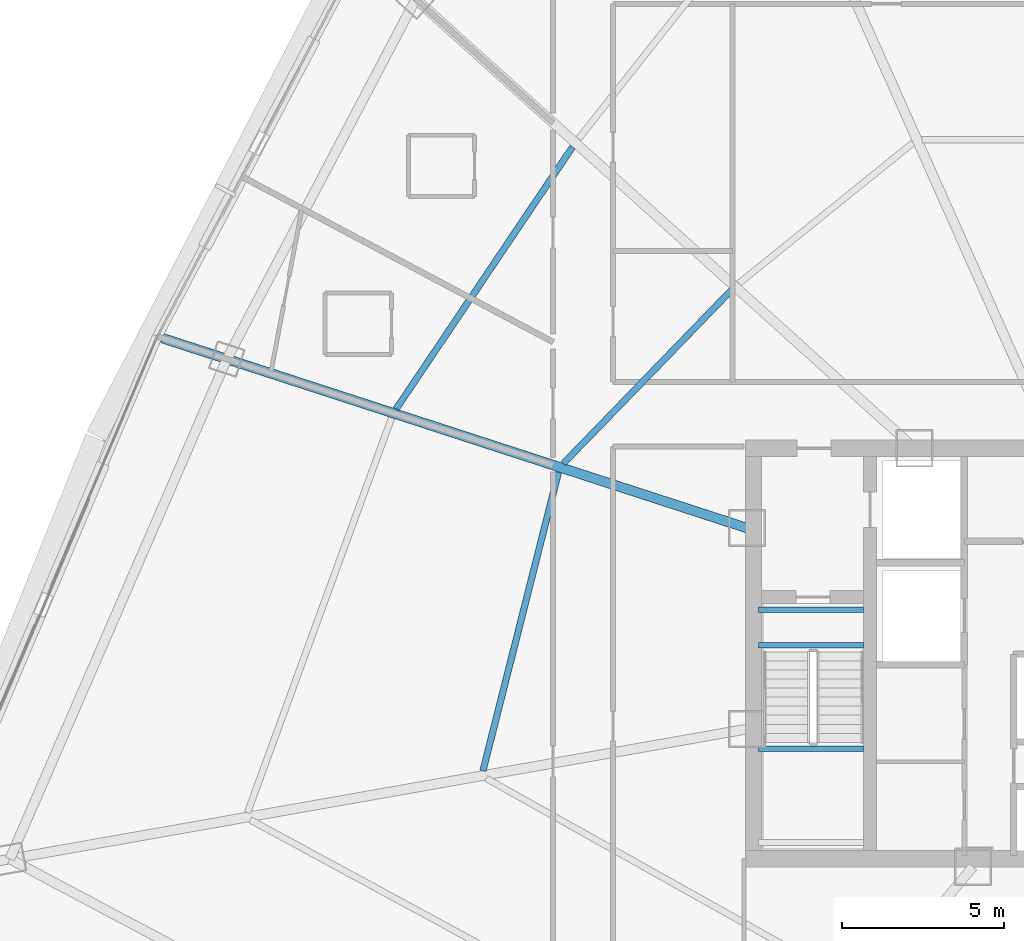
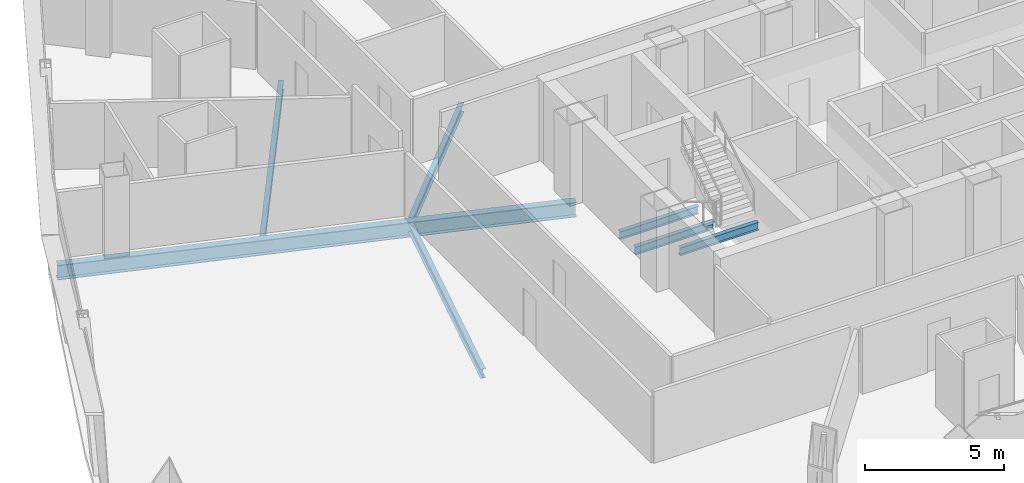
# One storey, part 9 of 40: 7 beams.
"""IFC4 building model written with IfcOpenShell, lengths in metres."""

from ifc_helpers import new_model, si_unit, direction, frame, origin, origin_2d, place, context, subcontext, project, spatial, i_section, extrude, source, transform, mapped, material, material_profile, profile_set, type_object, element, save


model = new_model("IFC4")

# Units and contexts
model_context = context("Model", 3, precision=1e-05, world=origin(), true_north=direction((0.0, 1.0)))
body_context = subcontext(model_context, "Body", "Model", "MODEL_VIEW")
ifc_project = project(units=[si_unit("LENGTHUNIT", "METRE"), si_unit("AREAUNIT", "SQUARE_METRE"), si_unit("VOLUMEUNIT", "CUBIC_METRE"), si_unit("PLANEANGLEUNIT", "RADIAN"), si_unit("MASSUNIT", "GRAM", prefix="KILO"), si_unit("THERMODYNAMICTEMPERATUREUNIT", "KELVIN"), si_unit("POWERUNIT", "WATT")], contexts=[model_context])

# Site, building, storey
site_placement = place(None, origin())
site = spatial("IfcSite", under=ifc_project, at=site_placement, CompositionType="ELEMENT")
building_placement = place(site_placement, origin())
building = spatial("IfcBuilding", under=site, at=building_placement, Name="Yunzhuo Pagoda Commons", CompositionType="ELEMENT")
storey_placement = place(building_placement, frame((0.0, 0.0, 180.9599609375)))
storey = spatial("IfcBuildingStorey", under=building, at=storey_placement, Name="L45", CompositionType="ELEMENT", Elevation=180.9599609375)

# Beams
ifc_material = material(Name="Structural steel Q355B", Category="steel")
ifc_material_profile_1 = material_profile(ifc_material, i_section(OverallWidth=0.175048828125, OverallDepth=0.35009765625, WebThickness=0.007080078125, FlangeThickness=0.010986328125, at=origin_2d()), Name="Structural steel Q355B")
ifc_profile_set_1 = profile_set([ifc_material_profile_1], Name="Structural steel Q355B")
beam_type_1 = type_object("IfcBeamType", Name="B-JS2 Joist HN 350x175x7x11", PredefinedType="JOIST", material=ifc_profile_set_1)
shared_shape_1 = source(origin(), body_context, "Body", "SweptSolid", [
    extrude(i_section(OverallWidth=0.175048828125, OverallDepth=0.35009765625, WebThickness=0.007080078125, FlangeThickness=0.010986328125, at=origin_2d()), origin(), (0.0, 0.0, 1.0), 3.25),
])
for number, where, z_axis, x_axis, name in (
    (1, (35.949951171875, 30.89990234375, 1.525146484375), (1.0, 0.0, 0.0), (0.0, 1.0, 0.0), "L45 ST1 landing support beam 51B"),
    (2, (35.949951171875, 34.10009765625, -0.375), (1.0, 0.0, 0.0), (0.0, 1.0, 0.0), "L45 ST1 landing support beam 149A"),
    (3, (35.949951171875, 35.199951171875, -0.375), (1.0, 0.0, 0.0), (0.0, 1.0, 0.0), "L45 ST1 landing support beam 149B"),
):
    element("IfcBeam", number, at=place(storey_placement, frame(where, z_axis=z_axis, x_axis=x_axis)), inside=storey, type_object=beam_type_1, Name=name, PredefinedType="JOIST", context=body_context, shape_type="MappedRepresentation", body=[
        mapped(shared_shape_1, transform((0.0, 0.0, 0.0), scale=1.0)),
    ])
ifc_material_profile_2 = material_profile(ifc_material, i_section(OverallWidth=0.300048828125, OverallDepth=0.64990234375, WebThickness=0.012939453125, FlangeThickness=0.02197265625, at=origin_2d()), Name="Structural steel Q355B")
ifc_profile_set_2 = profile_set([ifc_material_profile_2], Name="Structural steel Q355B")
beam_type_2 = type_object("IfcBeamType", Name="B-RG2 Beam HN 650x300x13x22", PredefinedType="BEAM", material=ifc_profile_set_2)
shared_shape_2 = source(origin(), body_context, "Body", "SweptSolid", [
    extrude(i_section(OverallWidth=0.300048828125, OverallDepth=0.64990234375, WebThickness=0.012939453125, FlangeThickness=0.02197265625, at=origin_2d()), origin(), (0.0, 0.0, 1.0), 19.029296875),
])
beam_1_placement = place(storey_placement, frame((17.502197265625, 43.609375, -0.5849609375), z_axis=(0.95105641133, -0.309017317424, 0.0), x_axis=(0.309017317424, 0.95105641133, 0.0)))
element("IfcBeam", 4, at=beam_1_placement, inside=storey, type_object=beam_type_2, Name="L45 radial floor girder F3C3", PredefinedType="BEAM", context=body_context, shape_type="MappedRepresentation", body=[
    mapped(shared_shape_2, transform((0.0, 0.0, 0.0), scale=1.0)),
])
ifc_material_profile_3 = material_profile(ifc_material, i_section(OverallWidth=0.199951171875, OverallDepth=0.39990234375, WebThickness=0.008056640625, FlangeThickness=0.012939453125, at=origin_2d()), Name="Structural steel Q355B")
ifc_profile_set_3 = profile_set([ifc_material_profile_3], Name="Structural steel Q355B")
beam_type_3 = type_object("IfcBeamType", Name="B-JS1 Joist HN 400x200x8x13", PredefinedType="JOIST", material=ifc_profile_set_3)
shared_shape_3 = source(origin(), body_context, "Body", "SweptSolid", [
    extrude(i_section(OverallWidth=0.199951171875, OverallDepth=0.39990234375, WebThickness=0.008056640625, FlangeThickness=0.012939453125, at=origin_2d()), origin(), (0.0, 0.0, 1.0), 9.529052734375),
])
beam_2_placement = place(storey_placement, frame((29.766845703125, 39.457763671875, -0.4599609375), z_axis=(-0.245367921097, -0.969430030119, 0.0), x_axis=(0.969430030119, -0.245367921097, 0.0)))
element("IfcBeam", 5, at=beam_2_placement, inside=storey, type_object=beam_type_3, Name="L45 composite ring joist 1.11", PredefinedType="JOIST", context=body_context, shape_type="MappedRepresentation", body=[
    mapped(shared_shape_3, transform((0.0, 0.0, 0.0), scale=1.0)),
])
shared_shape_4 = source(origin(), body_context, "Body", "SweptSolid", [
    extrude(i_section(OverallWidth=0.199951171875, OverallDepth=0.39990234375, WebThickness=0.008056640625, FlangeThickness=0.012939453125, at=origin_2d()), origin(), (0.0, 0.0, 1.0), 7.46826171875),
])
beam_3_placement = place(storey_placement, frame((35.114990234375, 45.087890625, -0.4599609375), z_axis=(-0.696070782679, -0.717973164889, 0.0), x_axis=(0.717973164889, -0.696070782679, 0.0)))
element("IfcBeam", 6, at=beam_3_placement, inside=storey, type_object=beam_type_3, Name="L45 composite ring joist 1.10", PredefinedType="JOIST", context=body_context, shape_type="MappedRepresentation", body=[
    mapped(shared_shape_4, transform((0.0, 0.0, 0.0), scale=1.0)),
])
shared_shape_5 = source(origin(), body_context, "Body", "SweptSolid", [
    extrude(i_section(OverallWidth=0.199951171875, OverallDepth=0.39990234375, WebThickness=0.008056640625, FlangeThickness=0.012939453125, at=origin_2d()), origin(), (0.0, 0.0, 1.0), 9.764892578125),
])
beam_4_placement = place(storey_placement, frame((30.198486328125, 49.5166015625, -0.4599609375), z_axis=(-0.558548425455, -0.829471914185, 0.0), x_axis=(0.829471914185, -0.558548425455, 0.0)))
element("IfcBeam", 7, at=beam_4_placement, inside=storey, type_object=beam_type_3, Name="L45 composite ring joist 2.10", PredefinedType="JOIST", context=body_context, shape_type="MappedRepresentation", body=[
    mapped(shared_shape_5, transform((0.0, 0.0, 0.0), scale=1.0)),
])

save(model, "model.ifc")
